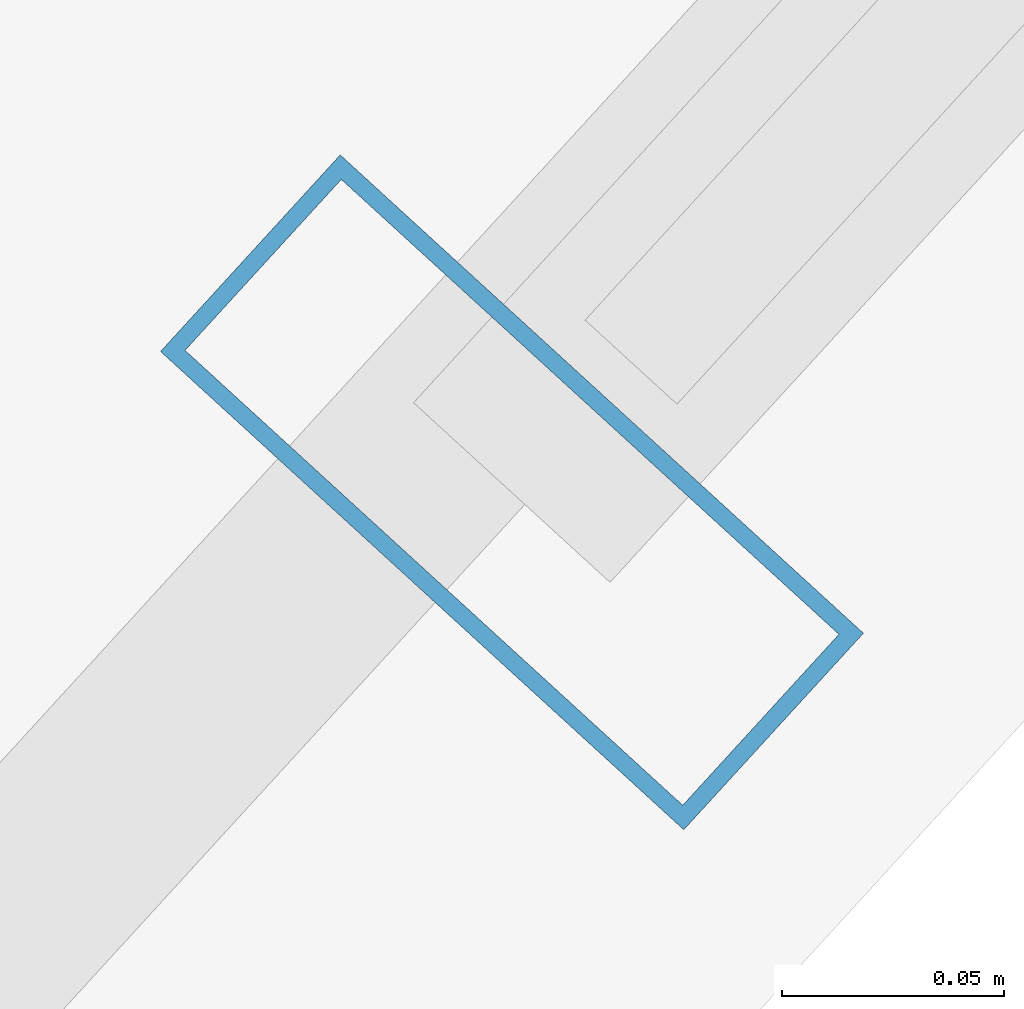
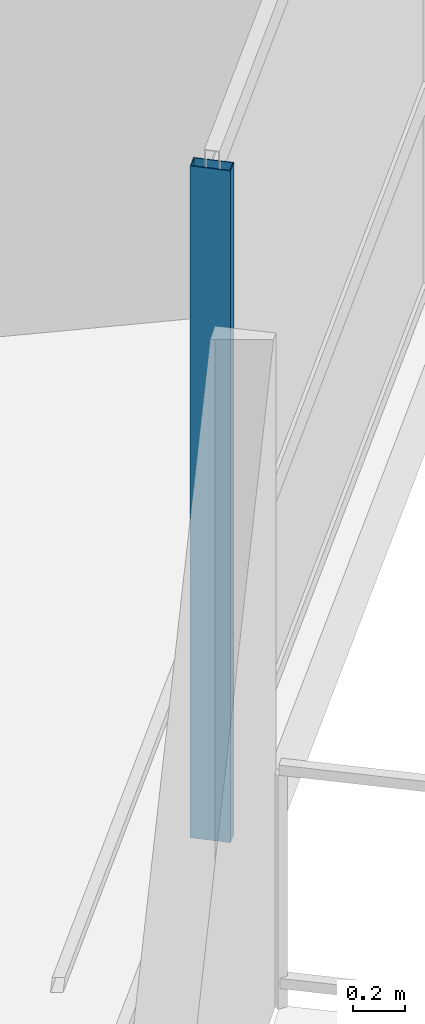
# One storey, part 12 of 33: 1 member, 1 element without a shape of its own.
"""IFC4 building model written with IfcOpenShell, lengths in metres."""

from ifc_helpers import new_model, si_unit, direction, frame, origin, origin_2d, place, context, subcontext, project, spatial, hollow_rectangle, extrude, material, layer, layer_set, material_profile, profile_set, type_object, element, aggregate, save


model = new_model("IFC4")

# Units and contexts
model_context = context("Model", 3, precision=1e-05, world=origin(), true_north=direction((0.0, 1.0)))
body_context = subcontext(model_context, "Body", "Model", "MODEL_VIEW")
ifc_project = project(units=[si_unit("LENGTHUNIT", "METRE"), si_unit("AREAUNIT", "SQUARE_METRE"), si_unit("VOLUMEUNIT", "CUBIC_METRE"), si_unit("PLANEANGLEUNIT", "RADIAN"), si_unit("MASSUNIT", "GRAM", prefix="KILO")], contexts=[model_context])

# Site, building, storey
site_placement = place(None, origin())
site = spatial("IfcSite", under=ifc_project, at=site_placement, CompositionType="ELEMENT")
building_placement = place(site_placement, origin())
building = spatial("IfcBuilding", under=site, at=building_placement, Name="Qarnah Convention Tower", CompositionType="ELEMENT")
storey_placement = place(building_placement, frame((0.0, 0.0, 27.0)))
storey = spatial("IfcBuildingStorey", under=building, at=storey_placement, Name="L05", CompositionType="ELEMENT", Elevation=27.0)

# Curtain wall, member
ifc_material_1 = material(Name="Tempered Low-E dark glass", Category="glass")
ifc_layer = layer(ifc_material_1, 0.16796875)
ifc_layer_set = layer_set([ifc_layer], Name="Tempered Low-E dark glass")
curtain_wall_type = type_object("IfcCurtainWallType", Name="CWS-01", PredefinedType="NOTDEFINED", material=ifc_layer_set)
curtain_wall_placement = place(storey_placement, origin())
curtain_wall = element("IfcCurtainWall", 1, at=curtain_wall_placement, inside=storey, type_object=curtain_wall_type, Name="L05 unitised curtain wall CW-L05-F3", PredefinedType="NOTDEFINED")
ifc_material_2 = material(Name="Black anodised aluminium", Category="aluminium")
ifc_material_profile = material_profile(ifc_material_2, hollow_rectangle(XDim=0.06005859375, YDim=0.159912109375, WallThickness=0.00390625, at=origin_2d()), Name="MUL-60X160")
ifc_profile_set = profile_set([ifc_material_profile], Name="Black anodised aluminium")
member_type = type_object("IfcMemberType", Name="MUL-T1", PredefinedType="MULLION", material=ifc_profile_set)
member_placement = place(storey_placement, frame((55.1240234375, 16.029052734375, 0.0), z_axis=(0.0, 0.0, 1.0), x_axis=(-0.674681503435, -0.738108981738, 0.0)))
member = element("IfcMember", 2, at=member_placement, type_object=member_type, Name="CW-L05-F3 mullion 4", PredefinedType="MULLION", context=body_context, shape_type="SweptSolid", body=[
    extrude(hollow_rectangle(XDim=0.06005859375, YDim=0.159912109375, WallThickness=0.00390625, at=origin_2d()), origin(), (0.0, 0.0, 1.0), 3.169921875),
])
aggregate(curtain_wall, [member])

save(model, "model.ifc")
